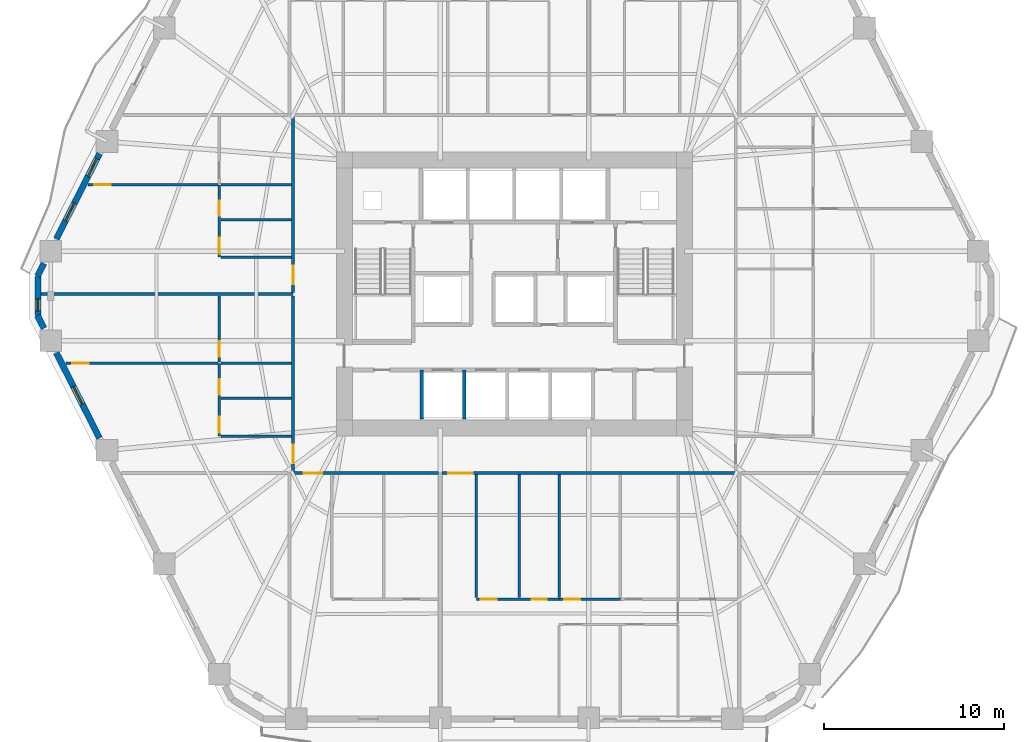
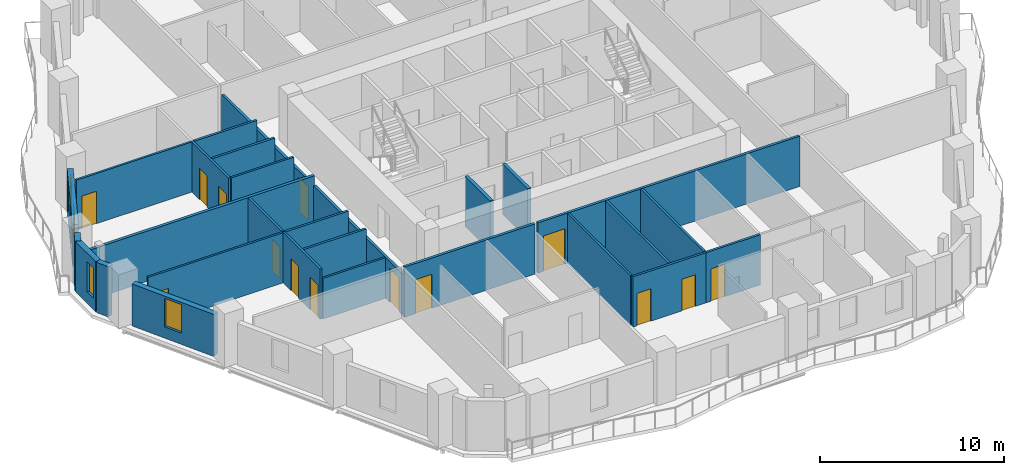
# One storey, part 4 of 12: 28 walls, 14 doors, 4 windows, 18 openings.
"""IFC4 building model written with IfcOpenShell, lengths in metres."""

import ifcopenshell
import ifcopenshell.guid

model = None  # the IFC model being written
_history = None  # IfcOwnerHistory: only IFC2X3 demands one
_inside = {}  # id of a spatial element -> (the spatial element, [elements in it])
_under = {}  # id of a project, library or spatial element -> (it, [spatial elements below it])
_declared = {}  # id of a project -> (the project, [libraries it declares])
_typed = {}  # id of a type object -> (the type object, [elements of that type])
_made_of = {}  # id of a material, layer set ... -> (it, [elements and type objects made of it])


def new_model(schema):
    """Start an empty IFC model of exactly this schema.

    Asked for "IFC4X3", IfcOpenShell would pick the latest addendum, in which some entities
    have other attributes; the version numbers below select the first issue.
    IFC2X3 requires an IfcOwnerHistory on every rooted entity: one is made here for all.
    """
    global model, _history
    if schema == "IFC4X3":
        model = ifcopenshell.file(schema_version=(4, 3, 0, 0))
    else:
        model = ifcopenshell.file(schema=schema)
    _inside.clear()
    _under.clear()
    _declared.clear()
    _typed.clear()
    _made_of.clear()
    _history = None
    if model.schema == "IFC2X3":
        org = make("IfcOrganization", Name="unknown")
        user = make(
            "IfcPersonAndOrganization",
            ThePerson=make("IfcPerson", FamilyName="unknown"),
            TheOrganization=org,
        )
        app = make(
            "IfcApplication",
            ApplicationDeveloper=org,
            Version="unknown",
            ApplicationFullName="unknown",
            ApplicationIdentifier="unknown",
        )
        _history = make(
            "IfcOwnerHistory",
            OwningUser=user,
            OwningApplication=app,
            ChangeAction="ADDED",
            CreationDate=0,
        )
    return model


def make(cls, **values):
    """One entity of the class cls with the attributes given. An attribute that is None is left unset."""
    return model.create_entity(
        cls, **{name: value for name, value in values.items() if value is not None}
    )


def rooted(cls, **values):
    """An entity with a GlobalId (a new one), such as an element, a storey or a relation."""
    return make(cls, GlobalId=ifcopenshell.guid.new(), OwnerHistory=_history, **values)


def si_unit(unit_type, name, prefix=None):
    """IfcSIUnit, for example si_unit("LENGTHUNIT", "METRE", prefix="MILLI")."""
    return make("IfcSIUnit", UnitType=unit_type, Prefix=prefix, Name=name)


def assignment(units):
    """IfcUnitAssignment: the units of a project."""
    return None if units is None else make("IfcUnitAssignment", Units=units)


def point(xyz):
    """IfcCartesianPoint."""
    return None if xyz is None else make("IfcCartesianPoint", Coordinates=xyz)


def direction(xyz):
    """IfcDirection."""
    return None if xyz is None else make("IfcDirection", DirectionRatios=xyz)


def frame(location, z_axis=None, x_axis=None):
    """IfcAxis2Placement3D, a coordinate frame: its origin and axes. An axis left out is left unset."""
    return make(
        "IfcAxis2Placement3D",
        Location=point(location),
        Axis=direction(z_axis),
        RefDirection=direction(x_axis),
    )


def frame_2d(location, x_axis=None):
    """IfcAxis2Placement2D, a coordinate frame in the plane: its origin and x axis."""
    return make(
        "IfcAxis2Placement2D", Location=point(location), RefDirection=direction(x_axis)
    )


def origin():
    """The frame at (0, 0, 0) with its axes left unset."""
    return frame((0.0, 0.0, 0.0))


def place(relative_to, where):
    """IfcLocalPlacement: puts the frame where relative to a parent placement (None: the world)."""
    return make(
        "IfcLocalPlacement", PlacementRelTo=relative_to, RelativePlacement=where
    )


def context(
    kind, dimensions, precision=None, world=None, true_north=None, identifier=None
):
    """IfcGeometricRepresentationContext, for example the 3D "Model" context."""
    return make(
        "IfcGeometricRepresentationContext",
        ContextIdentifier=identifier,
        ContextType=kind,
        CoordinateSpaceDimension=dimensions,
        Precision=precision,
        WorldCoordinateSystem=world,
        TrueNorth=true_north,
    )


def subcontext(parent, identifier, kind, view, scale=None):
    """IfcGeometricRepresentationSubContext, for example "Body" below "Model"."""
    return make(
        "IfcGeometricRepresentationSubContext",
        ContextIdentifier=identifier,
        ContextType=kind,
        ParentContext=parent,
        TargetScale=scale,
        TargetView=view,
    )


def project(units=None, contexts=None):
    """IfcProject with its units and contexts."""
    return rooted(
        "IfcProject",
        Name="project",
        RepresentationContexts=contexts,
        UnitsInContext=assignment(units),
    )


def spatial(cls, under=None, at=None, **own):
    """A site, building, storey or space (cls), placed at a placement, below another one or the project."""
    s = rooted(cls, ObjectPlacement=at, **own)
    if under is not None:
        _under.setdefault(under.id(), (under, []))[1].append(s)
    return s


def profile(cls, at=None, kind="AREA", **sizes):
    """A parametric profile (cls). Its sizes go by their IFC names, for example OverallWidth=200.0."""
    return make(cls, ProfileType=kind, Position=at, **sizes)


def rectangle(**sizes):
    """IfcRectangleProfileDef."""
    return profile("IfcRectangleProfileDef", **sizes)


def extrude(swept, where, along, depth):
    """IfcExtrudedAreaSolid: the profile swept, set in the frame where, extruded along a direction by depth."""
    return make(
        "IfcExtrudedAreaSolid",
        SweptArea=swept,
        Position=where,
        ExtrudedDirection=direction(along),
        Depth=depth,
    )


def shape(context_of_items, identifier, shape_type, items):
    """IfcShapeRepresentation: the items that make up one representation, for example the "Body"."""
    return make(
        "IfcShapeRepresentation",
        ContextOfItems=context_of_items,
        RepresentationIdentifier=identifier,
        RepresentationType=shape_type,
        Items=items,
    )


def material(Name=None, Category=None):
    """IfcMaterial."""
    return make("IfcMaterial", Name=Name, Category=Category)


def layer(
    of_material, thickness, ventilated=None, Name=None, Category=None, Priority=None
):
    """IfcMaterialLayer: one layer of a wall or slab, of a material (None: an air gap)."""
    return make(
        "IfcMaterialLayer",
        Material=of_material,
        LayerThickness=thickness,
        IsVentilated=ventilated,
        Name=Name,
        Category=Category,
        Priority=Priority,
    )


def layer_set(layers, Name=None):
    """IfcMaterialLayerSet."""
    return make("IfcMaterialLayerSet", MaterialLayers=layers, LayerSetName=Name)


def made_of(thing, what):
    """Note that an element or type object is made of a material, layer set ...; save() writes the relation."""
    if what is not None:
        _made_of.setdefault(what.id(), (what, []))[1].append(thing)
    return thing


def type_object(cls, material=None, **own):
    """A type object (cls), such as IfcWallType, which elements share."""
    return made_of(rooted(cls, **own), material)


def element(
    cls,
    number,
    at=None,
    inside=None,
    cuts=None,
    type_object=None,
    material=None,
    context=None,
    identifier="Body",
    shape_type=None,
    held_by="IfcProductDefinitionShape",
    body=None,
    shapes=None,
    **own,
):
    """One element of the class cls, such as IfcWall. Its Tag is "e" and its number.

    at: its placement. inside: the storey or other place that contains it. cuts: it is an
    opening in that element (IfcRelVoidsElement). A single representation is given by context,
    identifier, shape_type and body (its items); several are given by shapes. held_by: the class
    of the entity that holds the representations. save() writes the other relations.
    """
    e = rooted(cls, Tag="e%d" % number, ObjectPlacement=at, **own)
    if body is not None:
        shapes = [shape(context, identifier, shape_type, body)]
    if shapes is not None:
        e.Representation = make(held_by, Representations=shapes)
    if inside is not None:
        _inside.setdefault(inside.id(), (inside, []))[1].append(e)
    if cuts is not None:
        rooted(
            "IfcRelVoidsElement", RelatingBuildingElement=cuts, RelatedOpeningElement=e
        )
    if type_object is not None:
        _typed.setdefault(type_object.id(), (type_object, []))[1].append(e)
    return made_of(e, material)


def fill(opening, filler):
    """IfcRelFillsElement: the door or window that sits in an opening."""
    return rooted(
        "IfcRelFillsElement",
        RelatingOpeningElement=opening,
        RelatedBuildingElement=filler,
    )


def aggregate(whole, parts):
    """IfcRelAggregates: a whole, such as a stair, and the parts it consists of."""
    return rooted("IfcRelAggregates", RelatingObject=whole, RelatedObjects=parts)


def save(model, path):
    """Write the relations noted so far, then the file.

    IfcRelAggregates (storeys below a building ...), IfcRelContainedInSpatialStructure (elements
    in a storey), IfcRelDefinesByType, IfcRelAssociatesMaterial and IfcRelDeclares: one each for
    every whole, place, type object, material and project.
    """
    for whole, parts in _under.values():
        aggregate(whole, parts)
    for where, things in _inside.values():
        rooted(
            "IfcRelContainedInSpatialStructure",
            RelatedElements=things,
            RelatingStructure=where,
        )
    for kind, things in _typed.values():
        rooted("IfcRelDefinesByType", RelatedObjects=things, RelatingType=kind)
    for what, things in _made_of.values():
        rooted("IfcRelAssociatesMaterial", RelatedObjects=things, RelatingMaterial=what)
    for by, libraries in _declared.values():
        rooted("IfcRelDeclares", RelatingContext=by, RelatedDefinitions=libraries)
    model.write(path)


model = new_model("IFC4")

# Units and contexts
model_context = context("Model", 3, precision=1e-05, world=origin(), true_north=direction((0.0, 1.0)))
body_context = subcontext(model_context, "Body", "Model", "MODEL_VIEW")
ifc_project = project(units=[si_unit("LENGTHUNIT", "METRE"), si_unit("AREAUNIT", "SQUARE_METRE"), si_unit("VOLUMEUNIT", "CUBIC_METRE"), si_unit("PLANEANGLEUNIT", "RADIAN"), si_unit("MASSUNIT", "GRAM", prefix="KILO")], contexts=[model_context])

# Site, building, storey
site_placement = place(None, origin())
site = spatial("IfcSite", under=ifc_project, at=site_placement, CompositionType="ELEMENT")
building_placement = place(site_placement, origin())
building = spatial("IfcBuilding", under=site, at=building_placement, Name="Cinnabar Lancet Tower", CompositionType="ELEMENT")
storey_placement = place(building_placement, frame((0.0, 0.0, 28.449951171875)))
storey = spatial("IfcBuildingStorey", under=building, at=storey_placement, Name="L06", CompositionType="ELEMENT", Elevation=28.449951171875)

# Wall, opening, door
ifc_material_1 = material(Name="Acoustic twin-stud gypsum partition", Category="gypsum")
ifc_layer_1 = layer(ifc_material_1, 0.159912109375)
ifc_layer_set_1 = layer_set([ifc_layer_1], Name="Acoustic twin-stud gypsum partition")
wall_type_1 = type_object("IfcWallType", Name="ARC-WL-CORR-160", PredefinedType="PARTITIONING", material=ifc_layer_set_1)
wall_1_placement = place(storey_placement, frame((19.9951171875, 15.949951171875, 0.0), z_axis=(0.0, 0.0, 1.0), x_axis=(1.0, 0.0, 0.0)))
wall_1 = element("IfcWall", 1, at=wall_1_placement, inside=storey, type_object=wall_type_1, Name="L06 Unit S01 Corridor Wall", PredefinedType="PARTITIONING", context=body_context, shape_type="SweptSolid", body=[
    extrude(rectangle(XDim=8.18798828125, YDim=0.159912109375, at=frame_2d((4.093994140625, 0.0))), origin(), (0.0, 0.0, 1.0), 3.330078125),
])
opening_1_placement = place(wall_1_placement, frame((0.705078125, 0.0, 0.0)))
opening_1 = element("IfcOpeningElement", 2, at=opening_1_placement, cuts=wall_1, Name="Opening UD-01", PredefinedType="OPENING", context=body_context, shape_type="SweptSolid", body=[
    extrude(rectangle(XDim=1.02001953125, YDim=2.25, at=frame_2d((0.510009765625, 1.125))), frame((0.0, 0.08984375, 0.0), z_axis=(0.0, -1.0, 0.0), x_axis=(1.0, 0.0, 0.0)), (0.0, 0.0, 1.0), 0.179931640625),
])
ifc_material_2 = material(Name="Solid timber fire-rated apartment entrance door", Category="wood")
door_type_1 = type_object("IfcDoorType", Name="ARC-DR-UNIT", OperationType="NOTDEFINED", PredefinedType="DOOR", material=ifc_material_2)
door_1_placement = place(opening_1_placement, origin())
door_1 = element("IfcDoor", 3, at=door_1_placement, inside=storey, type_object=door_type_1, Name="DR-L06-S01-ENT", OperationType="SINGLE_SWING_RIGHT", OverallHeight=2.25, OverallWidth=1.02001953125, PredefinedType="DOOR", context=body_context, shape_type="SweptSolid", body=[
    extrude(rectangle(XDim=1.02001953125, YDim=2.25, at=frame_2d((0.510009765625, 1.125))), frame((0.0, 0.02490234375, 0.0), z_axis=(0.0, -1.0, 0.0), x_axis=(1.0, 0.0, 0.0)), (0.0, 0.0, 1.0), 0.050048828125),
])
fill(opening_1, door_1)

wall_2_placement = place(storey_placement, frame((28.373046875, 15.949951171875, 0.0), z_axis=(0.0, 0.0, 1.0), x_axis=(1.0, 0.0, 0.0)))
wall_2 = element("IfcWall", 4, at=wall_2_placement, inside=storey, type_object=wall_type_1, Name="L06 Unit S02 Corridor Wall", PredefinedType="PARTITIONING", context=body_context, shape_type="SweptSolid", body=[
    extrude(rectangle(XDim=16.431884765625, YDim=0.159912109375, at=frame_2d((8.2158203125, 0.0))), origin(), (0.0, 0.0, 1.0), 3.330078125),
])
opening_2_placement = place(wall_2_placement, frame((0.35498046875, 0.0, 0.0)))
opening_2 = element("IfcOpeningElement", 5, at=opening_2_placement, cuts=wall_2, Name="Opening UD-02", PredefinedType="OPENING", context=body_context, shape_type="SweptSolid", body=[
    extrude(rectangle(XDim=1.35009765625, YDim=2.35009765625, at=frame_2d((0.675048828125, 1.175048828125))), frame((0.0, 0.08984375, 0.0), z_axis=(0.0, -1.0, 0.0), x_axis=(1.0, 0.0, 0.0)), (0.0, 0.0, 1.0), 0.179931640625),
])
ifc_material_3 = material(Name="Double-leaf solid timber penthouse entrance door", Category="wood")
door_type_2 = type_object("IfcDoorType", Name="ARC-DR-UNIT-PH", OperationType="NOTDEFINED", PredefinedType="DOOR", material=ifc_material_3)
door_2_placement = place(opening_2_placement, origin())
door_2 = element("IfcDoor", 6, at=door_2_placement, inside=storey, type_object=door_type_2, Name="DR-L06-S02-ENT", OperationType="SINGLE_SWING_LEFT", OverallHeight=2.35009765625, OverallWidth=1.35009765625, PredefinedType="DOOR", context=body_context, shape_type="SweptSolid", body=[
    extrude(rectangle(XDim=1.35009765625, YDim=2.35009765625, at=frame_2d((0.675048828125, 1.175048828125))), frame((0.0, 0.02490234375, 0.0), z_axis=(0.0, -1.0, 0.0), x_axis=(1.0, 0.0, 0.0)), (0.0, 0.0, 1.0), 0.050048828125),
])
fill(opening_2, door_2)

wall_3_placement = place(storey_placement, frame((20.10009765625, 16.044921875, 0.0), z_axis=(0.0, 0.0, 1.0), x_axis=(0.0, 1.0, 0.0)))
wall_3 = element("IfcWall", 7, at=wall_3_placement, inside=storey, type_object=wall_type_1, Name="UW-L06-W01-COR", PredefinedType="PARTITIONING", context=body_context, shape_type="SweptSolid", body=[
    extrude(rectangle(XDim=9.760009765625, YDim=0.159912109375, at=frame_2d((4.8798828125, 0.0))), origin(), (0.0, 0.0, 1.0), 2.699951171875),
])
opening_3_placement = place(wall_3_placement, frame((0.449951171875, 0.0, 0.0)))
opening_3 = element("IfcOpeningElement", 8, at=opening_3_placement, cuts=wall_3, Name="Opening UD-01", PredefinedType="OPENING", context=body_context, shape_type="SweptSolid", body=[
    extrude(rectangle(XDim=1.02001953125, YDim=2.25, at=frame_2d((0.510009765625, 1.125))), frame((0.0, 0.08984375, 0.0), z_axis=(0.0, -1.0, 0.0), x_axis=(1.0, 0.0, 0.0)), (0.0, 0.0, 1.0), 0.179931640625),
])
door_3_placement = place(opening_3_placement, origin())
door_3 = element("IfcDoor", 9, at=door_3_placement, inside=storey, type_object=door_type_1, Name="DR-L06-W01-ENT", OperationType="SINGLE_SWING_RIGHT", OverallHeight=2.25, OverallWidth=1.02001953125, PredefinedType="DOOR", context=body_context, shape_type="SweptSolid", body=[
    extrude(rectangle(XDim=1.02001953125, YDim=2.25, at=frame_2d((0.510009765625, 1.125))), frame((0.0, 0.02490234375, 0.0), z_axis=(0.0, -1.0, 0.0), x_axis=(1.0, 0.0, 0.0)), (0.0, 0.0, 1.0), 0.050048828125),
])
fill(opening_3, door_3)

wall_4_placement = place(storey_placement, frame((20.10009765625, 25.9951171875, 0.0), z_axis=(0.0, 0.0, 1.0), x_axis=(0.0, 1.0, 0.0)))
wall_4 = element("IfcWall", 10, at=wall_4_placement, inside=storey, type_object=wall_type_1, Name="UW-L06-W02-COR", PredefinedType="PARTITIONING", context=body_context, shape_type="SweptSolid", body=[
    extrude(rectangle(XDim=9.759765625, YDim=0.159912109375, at=frame_2d((4.8798828125, 0.0))), origin(), (0.0, 0.0, 1.0), 2.699951171875),
])
opening_4_placement = place(wall_4_placement, frame((0.449951171875, 0.0, 0.0)))
opening_4 = element("IfcOpeningElement", 11, at=opening_4_placement, cuts=wall_4, Name="Opening UD-01", PredefinedType="OPENING", context=body_context, shape_type="SweptSolid", body=[
    extrude(rectangle(XDim=1.02001953125, YDim=2.25, at=frame_2d((0.510009765625, 1.125))), frame((0.0, 0.08984375, 0.0), z_axis=(0.0, -1.0, 0.0), x_axis=(1.0, 0.0, 0.0)), (0.0, 0.0, 1.0), 0.179931640625),
])
door_4_placement = place(opening_4_placement, origin())
door_4 = element("IfcDoor", 12, at=door_4_placement, inside=storey, type_object=door_type_1, Name="DR-L06-W02-ENT", OperationType="SINGLE_SWING_LEFT", OverallHeight=2.25, OverallWidth=1.02001953125, PredefinedType="DOOR", context=body_context, shape_type="SweptSolid", body=[
    extrude(rectangle(XDim=1.02001953125, YDim=2.25, at=frame_2d((0.510009765625, 1.125))), frame((0.0, 0.02490234375, 0.0), z_axis=(0.0, -1.0, 0.0), x_axis=(1.0, 0.0, 0.0)), (0.0, 0.0, 1.0), 0.050048828125),
])
fill(opening_4, door_4)

# Walls
ifc_material_4 = material(Name="Fire-rated twin-frame acoustic drywall", Category="gypsum")
ifc_layer_2 = layer(ifc_material_4, 0.179931640625)
ifc_layer_set_2 = layer_set([ifc_layer_2], Name="Fire-rated twin-frame acoustic drywall")
wall_type_2 = type_object("IfcWallType", Name="ARC-WL-PARTY-180", PredefinedType="PARTITIONING", material=ifc_layer_set_2)
wall_5_placement = place(storey_placement, frame((6.0869140625, 25.89990234375, 0.0), z_axis=(0.0, 0.0, 1.0), x_axis=(1.0, 0.0, 0.0)))
element("IfcWall", 13, at=wall_5_placement, inside=storey, type_object=wall_type_2, Name="PW-L06-WPTY-1", PredefinedType="PARTITIONING", context=body_context, shape_type="SweptSolid", body=[
    extrude(rectangle(XDim=14.01318359375, YDim=0.179931640625, at=frame_2d((7.006591796875, 0.0))), origin(), (0.0, 0.0, 1.0), 3.330078125),
])
ifc_material_5 = material(Name="Autoclaved aerated concrete blockwork", Category="masonry")
ifc_layer_3 = layer(ifc_material_5, 0.199951171875)
ifc_layer_set_3 = layer_set([ifc_layer_3], Name="Autoclaved aerated concrete blockwork")
wall_type_3 = type_object("IfcWallType", Name="ARC-WL-SHAFT-200", PredefinedType="PLUMBINGWALL", material=ifc_layer_set_3)
for number, where, z_axis, x_axis, name in (
    (14, (27.25, 18.949951171875, 0.0), (0.0, 0.0, 1.0), (0.0, 1.0, 0.0), "CW-SB-2725-L06"),
    (15, (29.60009765625, 18.949951171875, 0.0), (0.0, 0.0, 1.0), (0.0, 1.0, 0.0), "CW-SB-2960-L06"),
):
    element("IfcWall", number, at=place(storey_placement, frame(where, z_axis=z_axis, x_axis=x_axis)), inside=storey, type_object=wall_type_3, Name=name, PredefinedType="PLUMBINGWALL", context=body_context, shape_type="SweptSolid", body=[
        extrude(rectangle(XDim=2.72998046875, YDim=0.199951171875, at=frame_2d((1.364990234375, 0.0))), origin(), (0.0, 0.0, 1.0), 3.330078125),
    ])
ifc_material_6 = material(Name="Gypsum plasterboard stud partition", Category="gypsum")
ifc_layer_4 = layer(ifc_material_6, 0.125)
ifc_layer_set_4 = layer_set([ifc_layer_4], Name="Gypsum plasterboard stud partition")
wall_type_4 = type_object("IfcWallType", Name="ARC-WL-UNIT-125", PredefinedType="PARTITIONING", material=ifc_layer_set_4)
wall_6_placement = place(storey_placement, frame((30.278076171875, 9.0380859375, 0.0), z_axis=(0.0, 0.0, 1.0), x_axis=(0.0, 1.0, 0.0)))
element("IfcWall", 16, at=wall_6_placement, inside=storey, type_object=wall_type_4, Name="UW-L06-S02-FOYE", PredefinedType="PARTITIONING", context=body_context, shape_type="SweptSolid", body=[
    extrude(rectangle(XDim=6.826904296875, YDim=0.125, at=frame_2d((3.41357421875, 0.0))), origin(), (0.0, 0.0, 1.0), 3.330078125),
])
wall_7_placement = place(storey_placement, frame((16.0849609375, 18.0, 0.0), z_axis=(0.0, 0.0, 1.0), x_axis=(1.0, 0.0, 0.0)))
element("IfcWall", 17, at=wall_7_placement, inside=storey, type_object=wall_type_4, Name="UW-L06-W01-FOYN", PredefinedType="PARTITIONING", context=body_context, shape_type="SweptSolid", body=[
    extrude(rectangle(XDim=3.929931640625, YDim=0.125, at=frame_2d((1.96484375, 0.0))), origin(), (0.0, 0.0, 1.0), 2.699951171875),
])

# Wall, opening, door
wall_8_placement = place(storey_placement, frame((7.4619140625, 22.050048828125, 0.0), z_axis=(0.0, 0.0, 1.0), x_axis=(1.0, 0.0, 0.0)))
wall_8 = element("IfcWall", 18, at=wall_8_placement, inside=storey, type_object=wall_type_4, Name="UW-L06-W01-MBN", PredefinedType="PARTITIONING", context=body_context, shape_type="SweptSolid", body=[
    extrude(rectangle(XDim=8.463134765625, YDim=0.125, at=frame_2d((4.2314453125, 0.0))), origin(), (0.0, 0.0, 1.0), 3.330078125),
])
opening_5_placement = place(wall_8_placement, frame((0.35009765625, 0.0, 0.0)))
opening_5 = element("IfcOpeningElement", 19, at=opening_5_placement, cuts=wall_8, Name="Opening RD-01", PredefinedType="OPENING", context=body_context, shape_type="SweptSolid", body=[
    extrude(rectangle(XDim=0.919921875, YDim=2.14990234375, at=frame_2d((0.4599609375, 1.074951171875))), frame((0.0, 0.072509765625, 0.0), z_axis=(0.0, -1.0, 0.0), x_axis=(1.0, 0.0, 0.0)), (0.0, 0.0, 1.0), 0.14501953125),
])
ifc_material_7 = material(Name="Engineered timber bedroom door", Category="wood")
door_type_3 = type_object("IfcDoorType", Name="ARC-DR-ROOM", OperationType="NOTDEFINED", PredefinedType="DOOR", material=ifc_material_7)
door_5_placement = place(opening_5_placement, origin())
door_5 = element("IfcDoor", 20, at=door_5_placement, inside=storey, type_object=door_type_3, Name="DR-L06-W01-MBD", OperationType="SINGLE_SWING_RIGHT", OverallHeight=2.14990234375, OverallWidth=0.919921875, PredefinedType="DOOR", context=body_context, shape_type="SweptSolid", body=[
    extrude(rectangle(XDim=0.919921875, YDim=2.14990234375, at=frame_2d((0.4599609375, 1.074951171875))), frame((0.0, 0.02490234375, 0.0), z_axis=(0.0, -1.0, 0.0), x_axis=(1.0, 0.0, 0.0)), (0.0, 0.0, 1.0), 0.050048828125),
])
fill(opening_5, door_5)

# Wall
wall_9_placement = place(storey_placement, frame((16.0849609375, 27.949951171875, 0.0), z_axis=(0.0, 0.0, 1.0), x_axis=(1.0, 0.0, 0.0)))
element("IfcWall", 21, at=wall_9_placement, inside=storey, type_object=wall_type_4, Name="UW-L06-W02-FOYN", PredefinedType="PARTITIONING", context=body_context, shape_type="SweptSolid", body=[
    extrude(rectangle(XDim=3.929931640625, YDim=0.125, at=frame_2d((1.96484375, 0.0))), origin(), (0.0, 0.0, 1.0), 3.330078125),
])

# Wall, opening, door
wall_10_placement = place(storey_placement, frame((8.68603515625, 31.969970703125, 0.0), z_axis=(0.0, 0.0, 1.0), x_axis=(1.0, 0.0, 0.0)))
wall_10 = element("IfcWall", 22, at=wall_10_placement, inside=storey, type_object=wall_type_4, Name="UW-L06-W02-MBN", PredefinedType="PARTITIONING", context=body_context, shape_type="SweptSolid", body=[
    extrude(rectangle(XDim=7.239013671875, YDim=0.125, at=frame_2d((3.61962890625, 0.0))), origin(), (0.0, 0.0, 1.0), 3.330078125),
])
opening_6_placement = place(wall_10_placement, frame((0.35009765625, 0.0, 0.0)))
opening_6 = element("IfcOpeningElement", 23, at=opening_6_placement, cuts=wall_10, Name="Opening RD-01", PredefinedType="OPENING", context=body_context, shape_type="SweptSolid", body=[
    extrude(rectangle(XDim=0.919921875, YDim=2.14990234375, at=frame_2d((0.4599609375, 1.074951171875))), frame((0.0, 0.072509765625, 0.0), z_axis=(0.0, -1.0, 0.0), x_axis=(1.0, 0.0, 0.0)), (0.0, 0.0, 1.0), 0.14501953125),
])
door_6_placement = place(opening_6_placement, origin())
door_6 = element("IfcDoor", 24, at=door_6_placement, inside=storey, type_object=door_type_3, Name="DR-L06-W02-MBD", OperationType="SINGLE_SWING_LEFT", OverallHeight=2.14990234375, OverallWidth=0.919921875, PredefinedType="DOOR", context=body_context, shape_type="SweptSolid", body=[
    extrude(rectangle(XDim=0.919921875, YDim=2.14990234375, at=frame_2d((0.4599609375, 1.074951171875))), frame((0.0, 0.02490234375, 0.0), z_axis=(0.0, -1.0, 0.0), x_axis=(1.0, 0.0, 0.0)), (0.0, 0.0, 1.0), 0.050048828125),
])
fill(opening_6, door_6)

# Wall, openings, doors
ifc_material_8 = material(Name="Moisture-resistant cement-board plumbing wall", Category="masonry")
ifc_layer_5 = layer(ifc_material_8, 0.139892578125)
ifc_layer_set_5 = layer_set([ifc_layer_5], Name="Moisture-resistant cement-board plumbing wall")
wall_type_5 = type_object("IfcWallType", Name="ARC-WL-WET-140", PredefinedType="PLUMBINGWALL", material=ifc_layer_set_5)
wall_11_placement = place(storey_placement, frame((30.278076171875, 8.93310546875, 0.0), z_axis=(0.0, 0.0, 1.0), x_axis=(1.0, 0.0, 0.0)))
wall_11 = element("IfcWall", 25, at=wall_11_placement, inside=storey, type_object=wall_type_5, Name="UW-L06-S02-SPL", PredefinedType="PLUMBINGWALL", context=body_context, shape_type="SweptSolid", body=[
    extrude(rectangle(XDim=4.599853515625, YDim=0.139892578125, at=frame_2d((2.2998046875, 0.0))), origin(), (0.0, 0.0, 1.0), 3.330078125),
])
opening_7_placement = place(wall_11_placement, frame((3.071044921875, 0.0, 0.0)))
opening_7 = element("IfcOpeningElement", 26, at=opening_7_placement, cuts=wall_11, Name="Opening BD-01", PredefinedType="OPENING", context=body_context, shape_type="SweptSolid", body=[
    extrude(rectangle(XDim=0.860107421875, YDim=2.10009765625, at=frame_2d((0.43017578125, 1.050048828125))), frame((0.0, 0.079833984375, 0.0), z_axis=(0.0, -1.0, 0.0), x_axis=(1.0, 0.0, 0.0)), (0.0, 0.0, 1.0), 0.159912109375),
])
opening_8_placement = place(wall_11_placement, frame((0.260009765625, 0.0, 0.0)))
opening_8 = element("IfcOpeningElement", 27, at=opening_8_placement, cuts=wall_11, Name="Opening RD-02", PredefinedType="OPENING", context=body_context, shape_type="SweptSolid", body=[
    extrude(rectangle(XDim=0.8798828125, YDim=2.14990234375, at=frame_2d((0.43994140625, 1.074951171875))), frame((0.0, 0.079833984375, 0.0), z_axis=(0.0, -1.0, 0.0), x_axis=(1.0, 0.0, 0.0)), (0.0, 0.0, 1.0), 0.159912109375),
])
ifc_material_9 = material(Name="Moisture-resistant timber bathroom door", Category="wood")
door_type_4 = type_object("IfcDoorType", Name="ARC-DR-BATH", OperationType="NOTDEFINED", PredefinedType="DOOR", material=ifc_material_9)
door_7_placement = place(opening_7_placement, origin())
door_7 = element("IfcDoor", 28, at=door_7_placement, inside=storey, type_object=door_type_4, Name="DR-L06-S02-BTH", OperationType="SINGLE_SWING_LEFT", OverallHeight=2.10009765625, OverallWidth=0.860107421875, PredefinedType="DOOR", context=body_context, shape_type="SweptSolid", body=[
    extrude(rectangle(XDim=0.860107421875, YDim=2.10009765625, at=frame_2d((0.43017578125, 1.050048828125))), frame((0.0, 0.02490234375, 0.0), z_axis=(0.0, -1.0, 0.0), x_axis=(1.0, 0.0, 0.0)), (0.0, 0.0, 1.0), 0.050048828125),
])
fill(opening_7, door_7)
ifc_material_10 = material(Name="Engineered timber study door", Category="wood")
door_type_5 = type_object("IfcDoorType", Name="ARC-DR-STUDY", OperationType="NOTDEFINED", PredefinedType="DOOR", material=ifc_material_10)
door_8_placement = place(opening_8_placement, origin())
door_8 = element("IfcDoor", 29, at=door_8_placement, inside=storey, type_object=door_type_5, Name="DR-L06-S02-KIT", OperationType="SINGLE_SWING_RIGHT", OverallHeight=2.14990234375, OverallWidth=0.8798828125, PredefinedType="DOOR", context=body_context, shape_type="SweptSolid", body=[
    extrude(rectangle(XDim=0.8798828125, YDim=2.14990234375, at=frame_2d((0.43994140625, 1.074951171875))), frame((0.0, 0.02490234375, 0.0), z_axis=(0.0, -1.0, 0.0), x_axis=(1.0, 0.0, 0.0)), (0.0, 0.0, 1.0), 0.050048828125),
])
fill(opening_8, door_8)

# Wall, opening, door
wall_12_placement = place(storey_placement, frame((34.8779296875, 8.93310546875, 0.0), z_axis=(0.0, 0.0, 1.0), x_axis=(1.0, 0.0, 0.0)))
wall_12 = element("IfcWall", 30, at=wall_12_placement, inside=storey, type_object=wall_type_5, Name="UW-L06-S02-SPM", PredefinedType="PLUMBINGWALL", context=body_context, shape_type="SweptSolid", body=[
    extrude(rectangle(XDim=3.406982421875, YDim=0.139892578125, at=frame_2d((1.70361328125, 0.0))), origin(), (0.0, 0.0, 1.0), 3.330078125),
])
opening_9_placement = place(wall_12_placement, frame((0.300048828125, 0.0, 0.0)))
opening_9 = element("IfcOpeningElement", 31, at=opening_9_placement, cuts=wall_12, Name="Opening RD-02", PredefinedType="OPENING", context=body_context, shape_type="SweptSolid", body=[
    extrude(rectangle(XDim=0.8798828125, YDim=2.14990234375, at=frame_2d((0.43994140625, 1.074951171875))), frame((0.0, 0.079833984375, 0.0), z_axis=(0.0, -1.0, 0.0), x_axis=(1.0, 0.0, 0.0)), (0.0, 0.0, 1.0), 0.159912109375),
])
door_9_placement = place(opening_9_placement, origin())
door_9 = element("IfcDoor", 32, at=door_9_placement, inside=storey, type_object=door_type_5, Name="DR-L06-S02-UTL", OperationType="SINGLE_SWING_LEFT", OverallHeight=2.14990234375, OverallWidth=0.8798828125, PredefinedType="DOOR", context=body_context, shape_type="SweptSolid", body=[
    extrude(rectangle(XDim=0.8798828125, YDim=2.14990234375, at=frame_2d((0.43994140625, 1.074951171875))), frame((0.0, 0.02490234375, 0.0), z_axis=(0.0, -1.0, 0.0), x_axis=(1.0, 0.0, 0.0)), (0.0, 0.0, 1.0), 0.050048828125),
])
fill(opening_9, door_9)

# Walls
for number, where, z_axis, x_axis, name in (
    (33, (32.669921875, 9.0380859375, 0.0), (0.0, 0.0, 1.0), (0.0, 1.0, 0.0), "UW-L06-S02-KDV"),
    (34, (34.8779296875, 9.0380859375, 0.0), (0.0, 0.0, 1.0), (0.0, 1.0, 0.0), "UW-L06-S02-ENSW"),
):
    element("IfcWall", number, at=place(storey_placement, frame(where, z_axis=z_axis, x_axis=x_axis)), inside=storey, type_object=wall_type_5, Name=name, PredefinedType="PLUMBINGWALL", context=body_context, shape_type="SweptSolid", body=[
        extrude(rectangle(XDim=6.826904296875, YDim=0.139892578125, at=frame_2d((3.41357421875, 0.0))), origin(), (0.0, 0.0, 1.0), 3.330078125),
    ])

# Wall, openings, doors
wall_13_placement = place(storey_placement, frame((16.0, 18.0, 0.0), z_axis=(0.0, 0.0, 1.0), x_axis=(0.0, 1.0, 0.0)))
wall_13 = element("IfcWall", 35, at=wall_13_placement, inside=storey, type_object=wall_type_5, Name="UW-L06-W01-SPL", PredefinedType="PLUMBINGWALL", context=body_context, shape_type="SweptSolid", body=[
    extrude(rectangle(XDim=4.050048828125, YDim=0.139892578125, at=frame_2d((2.02490234375, 0.0))), origin(), (0.0, 0.0, 1.0), 3.330078125),
])
opening_10_placement = place(wall_13_placement, frame((0.199951171875, 0.0, 0.0)))
opening_10 = element("IfcOpeningElement", 36, at=opening_10_placement, cuts=wall_13, Name="Opening RD-02", PredefinedType="OPENING", context=body_context, shape_type="SweptSolid", body=[
    extrude(rectangle(XDim=0.8798828125, YDim=2.14990234375, at=frame_2d((0.43994140625, 1.074951171875))), frame((0.0, 0.079833984375, 0.0), z_axis=(0.0, -1.0, 0.0), x_axis=(1.0, 0.0, 0.0)), (0.0, 0.0, 1.0), 0.159912109375),
])
opening_11_placement = place(wall_13_placement, frame((2.305908203125, 0.0, 0.0)))
opening_11 = element("IfcOpeningElement", 37, at=opening_11_placement, cuts=wall_13, Name="Opening BD-01", PredefinedType="OPENING", context=body_context, shape_type="SweptSolid", body=[
    extrude(rectangle(XDim=0.860107421875, YDim=2.10009765625, at=frame_2d((0.43017578125, 1.050048828125))), frame((0.0, 0.079833984375, 0.0), z_axis=(0.0, -1.0, 0.0), x_axis=(1.0, 0.0, 0.0)), (0.0, 0.0, 1.0), 0.159912109375),
])
door_10_placement = place(opening_11_placement, origin())
door_10 = element("IfcDoor", 38, at=door_10_placement, inside=storey, type_object=door_type_4, Name="DR-L06-W01-BTH", OperationType="SINGLE_SWING_RIGHT", OverallHeight=2.10009765625, OverallWidth=0.860107421875, PredefinedType="DOOR", context=body_context, shape_type="SweptSolid", body=[
    extrude(rectangle(XDim=0.860107421875, YDim=2.10009765625, at=frame_2d((0.43017578125, 1.050048828125))), frame((0.0, 0.02490234375, 0.0), z_axis=(0.0, -1.0, 0.0), x_axis=(1.0, 0.0, 0.0)), (0.0, 0.0, 1.0), 0.050048828125),
])
fill(opening_11, door_10)
door_11_placement = place(opening_10_placement, origin())
door_11 = element("IfcDoor", 39, at=door_11_placement, inside=storey, type_object=door_type_5, Name="DR-L06-W01-KIT", OperationType="SINGLE_SWING_LEFT", OverallHeight=2.14990234375, OverallWidth=0.8798828125, PredefinedType="DOOR", context=body_context, shape_type="SweptSolid", body=[
    extrude(rectangle(XDim=0.8798828125, YDim=2.14990234375, at=frame_2d((0.43994140625, 1.074951171875))), frame((0.0, 0.02490234375, 0.0), z_axis=(0.0, -1.0, 0.0), x_axis=(1.0, 0.0, 0.0)), (0.0, 0.0, 1.0), 0.050048828125),
])
fill(opening_10, door_11)

# Wall, opening, door
wall_14_placement = place(storey_placement, frame((16.0, 22.1201171875, 0.0), z_axis=(0.0, 0.0, 1.0), x_axis=(0.0, 1.0, 0.0)))
wall_14 = element("IfcWall", 40, at=wall_14_placement, inside=storey, type_object=wall_type_5, Name="UW-L06-W01-SPM", PredefinedType="PLUMBINGWALL", context=body_context, shape_type="SweptSolid", body=[
    extrude(rectangle(XDim=3.684814453125, YDim=0.139892578125, at=frame_2d((1.84228515625, 0.0))), origin(), (0.0, 0.0, 1.0), 3.330078125),
])
opening_12_placement = place(wall_14_placement, frame((0.300048828125, 0.0, 0.0)))
opening_12 = element("IfcOpeningElement", 41, at=opening_12_placement, cuts=wall_14, Name="Opening BD-01", PredefinedType="OPENING", context=body_context, shape_type="SweptSolid", body=[
    extrude(rectangle(XDim=0.860107421875, YDim=2.10009765625, at=frame_2d((0.43017578125, 1.050048828125))), frame((0.0, 0.079833984375, 0.0), z_axis=(0.0, -1.0, 0.0), x_axis=(1.0, 0.0, 0.0)), (0.0, 0.0, 1.0), 0.159912109375),
])
door_12_placement = place(opening_12_placement, origin())
door_12 = element("IfcDoor", 42, at=door_12_placement, inside=storey, type_object=door_type_4, Name="DR-L06-W01-ENS", OperationType="SINGLE_SWING_RIGHT", OverallHeight=2.10009765625, OverallWidth=0.860107421875, PredefinedType="DOOR", context=body_context, shape_type="SweptSolid", body=[
    extrude(rectangle(XDim=0.860107421875, YDim=2.10009765625, at=frame_2d((0.43017578125, 1.050048828125))), frame((0.0, 0.02490234375, 0.0), z_axis=(0.0, -1.0, 0.0), x_axis=(1.0, 0.0, 0.0)), (0.0, 0.0, 1.0), 0.050048828125),
])
fill(opening_12, door_12)

# Walls
for number, where, z_axis, x_axis, name in (
    (43, (16.0849609375, 22.050048828125, 0.0), (0.0, 0.0, 1.0), (1.0, 0.0, 0.0), "UW-L06-W01-ENSN"),
    (44, (16.0849609375, 20.10595703125, 0.0), (0.0, 0.0, 1.0), (1.0, 0.0, 0.0), "UW-L06-W01-KDV"),
):
    element("IfcWall", number, at=place(storey_placement, frame(where, z_axis=z_axis, x_axis=x_axis)), inside=storey, type_object=wall_type_5, Name=name, PredefinedType="PLUMBINGWALL", context=body_context, shape_type="SweptSolid", body=[
        extrude(rectangle(XDim=3.929931640625, YDim=0.139892578125, at=frame_2d((1.96484375, 0.0))), origin(), (0.0, 0.0, 1.0), 3.330078125),
    ])

# Wall, openings, doors
wall_15_placement = place(storey_placement, frame((16.0, 27.949951171875, 0.0), z_axis=(0.0, 0.0, 1.0), x_axis=(0.0, 1.0, 0.0)))
wall_15 = element("IfcWall", 45, at=wall_15_placement, inside=storey, type_object=wall_type_5, Name="UW-L06-W02-SPL", PredefinedType="PLUMBINGWALL", context=body_context, shape_type="SweptSolid", body=[
    extrude(rectangle(XDim=4.02001953125, YDim=0.139892578125, at=frame_2d((2.010009765625, 0.0))), origin(), (0.0, 0.0, 1.0), 3.330078125),
])
opening_13_placement = place(wall_15_placement, frame((0.199951171875, 0.0, 0.0)))
opening_13 = element("IfcOpeningElement", 46, at=opening_13_placement, cuts=wall_15, Name="Opening RD-02", PredefinedType="OPENING", context=body_context, shape_type="SweptSolid", body=[
    extrude(rectangle(XDim=0.8798828125, YDim=2.14990234375, at=frame_2d((0.43994140625, 1.074951171875))), frame((0.0, 0.079833984375, 0.0), z_axis=(0.0, -1.0, 0.0), x_axis=(1.0, 0.0, 0.0)), (0.0, 0.0, 1.0), 0.159912109375),
])
opening_14_placement = place(wall_15_placement, frame((2.2900390625, 0.0, 0.0)))
opening_14 = element("IfcOpeningElement", 47, at=opening_14_placement, cuts=wall_15, Name="Opening BD-01", PredefinedType="OPENING", context=body_context, shape_type="SweptSolid", body=[
    extrude(rectangle(XDim=0.860107421875, YDim=2.10009765625, at=frame_2d((0.43017578125, 1.050048828125))), frame((0.0, 0.079833984375, 0.0), z_axis=(0.0, -1.0, 0.0), x_axis=(1.0, 0.0, 0.0)), (0.0, 0.0, 1.0), 0.159912109375),
])
door_13_placement = place(opening_14_placement, origin())
door_13 = element("IfcDoor", 48, at=door_13_placement, inside=storey, type_object=door_type_4, Name="DR-L06-W02-BTH", OperationType="SINGLE_SWING_LEFT", OverallHeight=2.10009765625, OverallWidth=0.860107421875, PredefinedType="DOOR", context=body_context, shape_type="SweptSolid", body=[
    extrude(rectangle(XDim=0.860107421875, YDim=2.10009765625, at=frame_2d((0.43017578125, 1.050048828125))), frame((0.0, 0.02490234375, 0.0), z_axis=(0.0, -1.0, 0.0), x_axis=(1.0, 0.0, 0.0)), (0.0, 0.0, 1.0), 0.050048828125),
])
fill(opening_14, door_13)
door_14_placement = place(opening_13_placement, origin())
door_14 = element("IfcDoor", 49, at=door_14_placement, inside=storey, type_object=door_type_5, Name="DR-L06-W02-KIT", OperationType="SINGLE_SWING_RIGHT", OverallHeight=2.14990234375, OverallWidth=0.8798828125, PredefinedType="DOOR", context=body_context, shape_type="SweptSolid", body=[
    extrude(rectangle(XDim=0.8798828125, YDim=2.14990234375, at=frame_2d((0.43994140625, 1.074951171875))), frame((0.0, 0.02490234375, 0.0), z_axis=(0.0, -1.0, 0.0), x_axis=(1.0, 0.0, 0.0)), (0.0, 0.0, 1.0), 0.050048828125),
])
fill(opening_13, door_14)

# Walls
for number, where, z_axis, x_axis, name in (
    (50, (16.0849609375, 31.969970703125, 0.0), (0.0, 0.0, 1.0), (1.0, 0.0, 0.0), "UW-L06-W02-ENSN"),
    (51, (16.0849609375, 30.0400390625, 0.0), (0.0, 0.0, 1.0), (1.0, 0.0, 0.0), "UW-L06-W02-KDV"),
):
    element("IfcWall", number, at=place(storey_placement, frame(where, z_axis=z_axis, x_axis=x_axis)), inside=storey, type_object=wall_type_5, Name=name, PredefinedType="PLUMBINGWALL", context=body_context, shape_type="SweptSolid", body=[
        extrude(rectangle(XDim=3.929931640625, YDim=0.139892578125, at=frame_2d((1.96484375, 0.0))), origin(), (0.0, 0.0, 1.0), 3.330078125),
    ])

# Wall, opening, window
ifc_material_11 = material(Name="Cinnabar red clay brick", Category="masonry")
ifc_layer_6 = layer(ifc_material_11, 0.340087890625)
ifc_layer_set_6 = layer_set([ifc_layer_6], Name="Cinnabar red clay brick")
wall_type_6 = type_object("IfcWallType", Name="ENV-WL-BRK-RED-340", PredefinedType="STANDARD", material=ifc_layer_set_6)
wall_16_placement = place(storey_placement, frame((5.912109375, 26.885986328125, 0.0), z_axis=(0.0, 0.0, 1.0), x_axis=(0.0, -1.0, 0.0)))
wall_16 = element("IfcWall", 52, at=wall_16_placement, inside=storey, type_object=wall_type_6, Name="L06 Chamfered Corner Brick Pier 6.1", PredefinedType="STANDARD", context=body_context, shape_type="SweptSolid", body=[
    extrude(rectangle(XDim=2.171875, YDim=0.340087890625, at=frame_2d((1.0859375, 0.0))), origin(), (0.0, 0.0, 1.0), 3.330078125),
])
opening_15_placement = place(wall_16_placement, frame((1.24609375, 0.0, 0.75)))
opening_15 = element("IfcOpeningElement", 53, at=opening_15_placement, cuts=wall_16, Name="Opening WN-04", PredefinedType="OPENING", context=body_context, shape_type="SweptSolid", body=[
    extrude(rectangle(XDim=0.68603515625, YDim=2.0, at=frame_2d((0.343017578125, 1.0))), frame((0.0, 0.179931640625, 0.0), z_axis=(0.0, -1.0, 0.0), x_axis=(1.0, 0.0, 0.0)), (0.0, 0.0, 1.0), 0.360107421875),
])
ifc_material_12 = material(Name="Thermally broken bronze-anodized aluminium tall lancet window", Category="aluminium")
window_type = type_object("IfcWindowType", Name="ENV-WN-LANCET-1100", PartitioningType="SINGLE_PANEL", PredefinedType="WINDOW", material=ifc_material_12)
window_1_placement = place(opening_15_placement, origin())
window_1 = element("IfcWindow", 54, at=window_1_placement, inside=storey, type_object=window_type, Name="L06 Dwelling Gothic Lancet Window 297", OverallHeight=2.0, OverallWidth=0.68603515625, PartitioningType="SINGLE_PANEL", PredefinedType="WINDOW", context=body_context, shape_type="SweptSolid", body=[
    extrude(rectangle(XDim=0.68603515625, YDim=2.0, at=frame_2d((0.343017578125, 1.0))), frame((0.0, 0.030029296875, 0.0), z_axis=(0.0, -1.0, 0.0), x_axis=(1.0, 0.0, 0.0)), (0.0, 0.0, 1.0), 0.06005859375),
])
fill(opening_15, window_1)

# Wall, openings, windows
wall_17_placement = place(storey_placement, frame((9.3349609375, 33.698974609375, 0.0), z_axis=(0.0, 0.0, 1.0), x_axis=(-0.451590635984, -0.892225250422, 0.0)))
wall_17 = element("IfcWall", 55, at=wall_17_placement, inside=storey, type_object=wall_type_6, Name="L06 Face 5 Masonry Bay Wall 4", PredefinedType="STANDARD", context=body_context, shape_type="SweptSolid", body=[
    extrude(rectangle(XDim=5.303466796875, YDim=0.340087890625, at=frame_2d((2.65185546875, 0.0))), origin(), (0.0, 0.0, 1.0), 2.787109375),
])
opening_16_placement = place(wall_17_placement, frame((0.30810546875, 0.0, 0.75)))
opening_16 = element("IfcOpeningElement", 56, at=opening_16_placement, cuts=wall_17, Name="Opening WN-04", PredefinedType="OPENING", context=body_context, shape_type="SweptSolid", body=[
    extrude(rectangle(XDim=1.10009765625, YDim=1.886962890625, at=frame_2d((0.550048828125, 0.943359375))), frame((0.0, 0.179931640625, 0.0), z_axis=(0.0, -1.0, 0.0), x_axis=(1.0, 0.0, 0.0)), (0.0, 0.0, 1.0), 0.360107421875),
])
opening_17_placement = place(wall_17_placement, frame((3.080078125, 0.0, 0.75)))
opening_17 = element("IfcOpeningElement", 57, at=opening_17_placement, cuts=wall_17, Name="Opening WN-04", PredefinedType="OPENING", context=body_context, shape_type="SweptSolid", body=[
    extrude(rectangle(XDim=1.10009765625, YDim=1.886962890625, at=frame_2d((0.550048828125, 0.943359375))), frame((0.0, 0.179931640625, 0.0), z_axis=(0.0, -1.0, 0.0), x_axis=(1.0, 0.0, 0.0)), (0.0, 0.0, 1.0), 0.360107421875),
])
window_2_placement = place(opening_16_placement, origin())
window_2 = element("IfcWindow", 58, at=window_2_placement, inside=storey, type_object=window_type, Name="L06 Face 5 Gothic Lancet Window 4", OverallHeight=1.886962890625, OverallWidth=1.10009765625, PartitioningType="SINGLE_PANEL", PredefinedType="WINDOW", context=body_context, shape_type="SweptSolid", body=[
    extrude(rectangle(XDim=1.10009765625, YDim=1.886962890625, at=frame_2d((0.550048828125, 0.943359375))), frame((0.0, 0.030029296875, 0.0), z_axis=(0.0, -1.0, 0.0), x_axis=(1.0, 0.0, 0.0)), (0.0, 0.0, 1.0), 0.06005859375),
])
fill(opening_16, window_2)
window_3_placement = place(opening_17_placement, origin())
window_3 = element("IfcWindow", 59, at=window_3_placement, inside=storey, type_object=window_type, Name="L06 Split-Bay Gothic Lancet Window 7", OverallHeight=1.886962890625, OverallWidth=1.10009765625, PartitioningType="SINGLE_PANEL", PredefinedType="WINDOW", context=body_context, shape_type="SweptSolid", body=[
    extrude(rectangle(XDim=1.10009765625, YDim=1.886962890625, at=frame_2d((0.550048828125, 0.943359375))), frame((0.0, 0.030029296875, 0.0), z_axis=(0.0, -1.0, 0.0), x_axis=(1.0, 0.0, 0.0)), (0.0, 0.0, 1.0), 0.06005859375),
])
fill(opening_17, window_3)

# Walls
for number, where, z_axis, x_axis, name in (
    (60, (6.251953125, 27.60498046875, 0.0), (0.0, 0.0, 1.0), (-0.452101093511, -0.891966704113, 0.0), "L06 Face 5 Masonry Bay Wall 5"),
    (61, (5.89111328125, 24.70703125, 0.0), (0.0, 0.0, 1.0), (0.452101093511, -0.891966704113, 0.0), "L06 Face 6 Masonry Bay Wall 1"),
):
    element("IfcWall", number, at=place(storey_placement, frame(where, z_axis=z_axis, x_axis=x_axis)), inside=storey, type_object=wall_type_6, Name=name, PredefinedType="STANDARD", context=body_context, shape_type="SweptSolid", body=[
        extrude(rectangle(XDim=0.798095703125, YDim=0.340087890625, at=frame_2d((0.39892578125, 0.0))), origin(), (0.0, 0.0, 1.0), 3.330078125),
    ])

# Wall, opening, window
wall_18_placement = place(storey_placement, frame((6.93994140625, 22.633056640625, 0.0), z_axis=(0.0, 0.0, 1.0), x_axis=(0.451572088722, -0.892234637686, 0.0)))
wall_18 = element("IfcWall", 62, at=wall_18_placement, inside=storey, type_object=wall_type_6, Name="L06 Face 6 Masonry Bay Wall 2", PredefinedType="STANDARD", context=body_context, shape_type="SweptSolid", body=[
    extrude(rectangle(XDim=5.3037109375, YDim=0.340087890625, at=frame_2d((2.65185546875, 0.0))), origin(), (0.0, 0.0, 1.0), 2.787109375),
])
opening_18_placement = place(wall_18_placement, frame((2.10205078125, 0.0, 0.75)))
opening_18 = element("IfcOpeningElement", 63, at=opening_18_placement, cuts=wall_18, Name="Opening WN-04", PredefinedType="OPENING", context=body_context, shape_type="SweptSolid", body=[
    extrude(rectangle(XDim=1.10009765625, YDim=1.886962890625, at=frame_2d((0.550048828125, 0.943359375))), frame((0.0, 0.179931640625, 0.0), z_axis=(0.0, -1.0, 0.0), x_axis=(1.0, 0.0, 0.0)), (0.0, 0.0, 1.0), 0.360107421875),
])
window_4_placement = place(opening_18_placement, origin())
window_4 = element("IfcWindow", 64, at=window_4_placement, inside=storey, type_object=window_type, Name="L06 Face 6 Gothic Lancet Window 2", OverallHeight=1.886962890625, OverallWidth=1.10009765625, PartitioningType="SINGLE_PANEL", PredefinedType="WINDOW", context=body_context, shape_type="SweptSolid", body=[
    extrude(rectangle(XDim=1.10009765625, YDim=1.886962890625, at=frame_2d((0.550048828125, 0.943359375))), frame((0.0, 0.030029296875, 0.0), z_axis=(0.0, -1.0, 0.0), x_axis=(1.0, 0.0, 0.0)), (0.0, 0.0, 1.0), 0.06005859375),
])
fill(opening_18, window_4)

save(model, "model.ifc")
